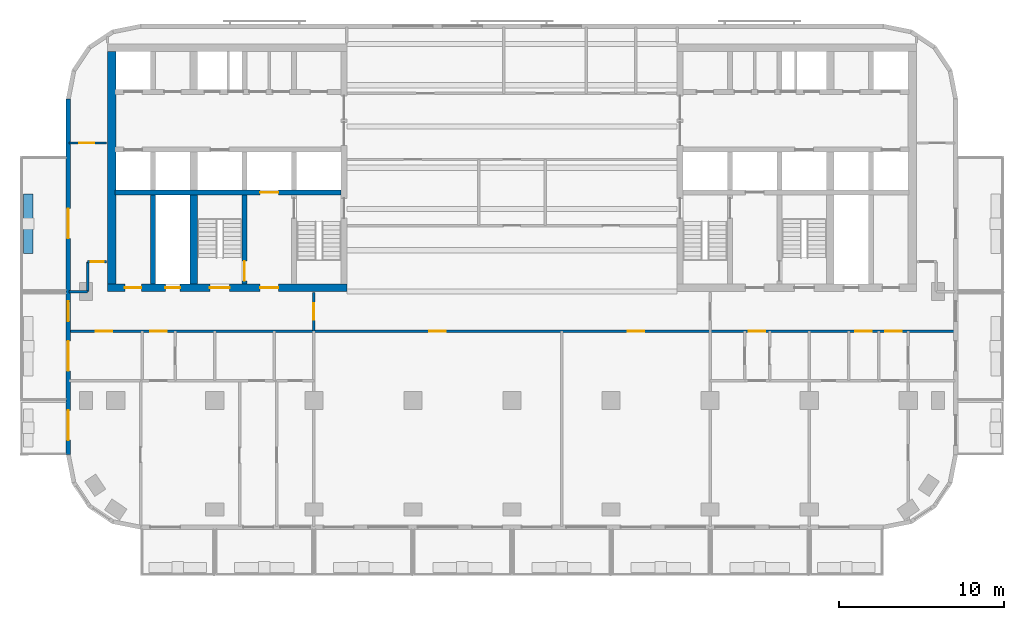
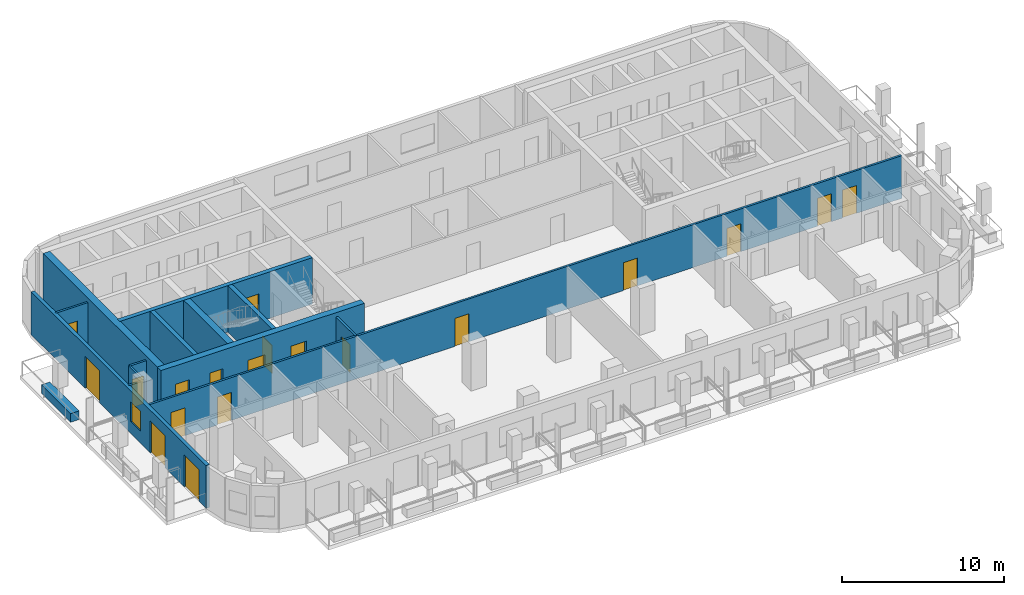
# One storey, part 3 of 11: 19 doors, 14 walls, 1 window, 20 openings.
"""IFC4 building model written with IfcOpenShell, lengths in metres."""

from ifc_helpers import new_model, si_unit, direction, frame, frame_2d, origin, place, context, subcontext, project, spatial, rectangle, extrude, material, layer, layer_set, type_object, element, fill, save


model = new_model("IFC4")

# Units and contexts
model_context = context("Model", 3, precision=1e-05, world=origin(), true_north=direction((0.0, 1.0)))
body_context = subcontext(model_context, "Body", "Model", "MODEL_VIEW")
ifc_project = project(units=[si_unit("LENGTHUNIT", "METRE"), si_unit("AREAUNIT", "SQUARE_METRE"), si_unit("VOLUMEUNIT", "CUBIC_METRE"), si_unit("PLANEANGLEUNIT", "RADIAN"), si_unit("MASSUNIT", "GRAM", prefix="KILO")], contexts=[model_context])

# Site, building, storey
site_placement = place(None, origin())
site = spatial("IfcSite", under=ifc_project, at=site_placement, CompositionType="ELEMENT")
building_placement = place(site_placement, origin())
building = spatial("IfcBuilding", under=site, at=building_placement, Name="Torana Hotel and Residences", CompositionType="ELEMENT")
storey_placement = place(building_placement, frame((0.0, 0.0, 208.10009765625)))
storey = spatial("IfcBuildingStorey", under=building, at=storey_placement, Name="L54", CompositionType="ELEMENT", Elevation=208.10009765625)

# Wall, opening, door
ifc_material_1 = material(Name="Concrete C70/85", Category="concrete")
ifc_layer_1 = layer(ifc_material_1, 0.300048828125)
ifc_layer_set_1 = layer_set([ifc_layer_1], Name="CORE WALL 300 C70/85")
wall_type_1 = type_object("IfcWallType", Name="CORE WALL 300 C70/85", PredefinedType="SHEAR", material=ifc_layer_set_1)
wall_1_placement = place(storey_placement, frame((-24.050048828125, -9.0, 0.0), z_axis=(0.0, 0.0, 1.0), x_axis=(1.0, 0.0, 0.0)))
wall_1 = element("IfcWall", 1, at=wall_1_placement, inside=storey, type_object=wall_type_1, Name="Core wall W band", PredefinedType="SHEAR", context=body_context, shape_type="SweptSolid", body=[
    extrude(rectangle(XDim=13.699951171875, YDim=0.300048828125, at=frame_2d((6.85009765625, 0.0))), origin(), (0.0, 0.0, 1.0), 3.5),
])
opening_1_placement = place(wall_1_placement, frame((8.800048828125, 0.0, 0.0)))
opening_1 = element("IfcOpeningElement", 2, at=opening_1_placement, cuts=wall_1, Name="Opening LD", PredefinedType="OPENING", context=body_context, shape_type="SweptSolid", body=[
    extrude(rectangle(XDim=1.10009765625, YDim=2.10009765625, at=frame_2d((0.550048828125, 1.050048828125))), frame((0.0, 0.159912109375, 0.0), z_axis=(0.0, -1.0, 0.0), x_axis=(1.0, 0.0, 0.0)), (0.0, 0.0, 1.0), 0.320068359375),
])
ifc_material_2 = material(Name="Stainless steel 316", Category="steel")
door_type_1 = type_object("IfcDoorType", Name="LIFT LANDING DOOR LD 1100x2100", OperationType="DOUBLE_DOOR_SLIDING", PredefinedType="USERDEFINED", material=ifc_material_2)
door_1_placement = place(opening_1_placement, origin())
door_1 = element("IfcDoor", 3, at=door_1_placement, inside=storey, type_object=door_type_1, Name="Lift landing door FF1 L54", ObjectType="LIFT LANDING DOOR", OperationType="DOUBLE_DOOR_SLIDING", OverallHeight=2.10009765625, OverallWidth=1.10009765625, PredefinedType="USERDEFINED", context=body_context, shape_type="SweptSolid", body=[
    extrude(rectangle(XDim=1.10009765625, YDim=2.10009765625, at=frame_2d((0.550048828125, 1.050048828125))), frame((0.0, 0.02490234375, 0.0), z_axis=(0.0, -1.0, 0.0), x_axis=(1.0, 0.0, 0.0)), (0.0, 0.0, 1.0), 0.050048828125),
])
fill(opening_1, door_1)

wall_2_placement = place(storey_placement, frame((-16.199951171875, -14.550048828125, 0.0), z_axis=(0.0, 0.0, 1.0), x_axis=(0.0, 1.0, 0.0)))
wall_2 = element("IfcWall", 4, at=wall_2_placement, inside=storey, type_object=wall_type_1, Name="Core wall W x6.05-band", PredefinedType="SHEAR", context=body_context, shape_type="SweptSolid", body=[
    extrude(rectangle(XDim=5.400146484375, YDim=0.300048828125, at=frame_2d((2.7001953125, 0.0))), origin(), (0.0, 0.0, 1.0), 3.5),
])
opening_2_placement = place(wall_2_placement, frame((0.199951171875, 0.0, 0.0)))
opening_2 = element("IfcOpeningElement", 5, at=opening_2_placement, cuts=wall_2, Name="Opening L54-15", PredefinedType="OPENING", context=body_context, shape_type="SweptSolid", body=[
    extrude(rectangle(XDim=1.199951171875, YDim=2.10009765625, at=frame_2d((0.60009765625, 1.050048828125))), frame((0.0, 0.159912109375, 0.0), z_axis=(0.0, -1.0, 0.0), x_axis=(1.0, 0.0, 0.0)), (0.0, 0.0, 1.0), 0.320068359375),
])
ifc_material_3 = material(Name="Steel S235", Category="steel")
door_type_2 = type_object("IfcDoorType", Name="STAIR FIRE DOOR D3 1200x2100", OperationType="SINGLE_SWING_LEFT", PredefinedType="DOOR", material=ifc_material_3)
door_2_placement = place(opening_2_placement, origin())
door_2 = element("IfcDoor", 6, at=door_2_placement, inside=storey, type_object=door_type_2, Name="Stair-B-lobby door L54", OperationType="SINGLE_SWING_RIGHT", OverallHeight=2.10009765625, OverallWidth=1.199951171875, PredefinedType="DOOR", context=body_context, shape_type="SweptSolid", body=[
    extrude(rectangle(XDim=1.199951171875, YDim=2.10009765625, at=frame_2d((0.60009765625, 1.050048828125))), frame((0.0, 0.02490234375, 0.0), z_axis=(0.0, -1.0, 0.0), x_axis=(1.0, 0.0, 0.0)), (0.0, 0.0, 1.0), 0.050048828125),
])
fill(opening_2, door_2)

# Wall
wall_3_placement = place(storey_placement, frame((-21.75, -14.550048828125, 0.0), z_axis=(0.0, 0.0, 1.0), x_axis=(0.0, 1.0, 0.0)))
element("IfcWall", 7, at=wall_3_placement, inside=storey, type_object=wall_type_1, Name="Core wall W mm-band", PredefinedType="SHEAR", context=body_context, shape_type="SweptSolid", body=[
    extrude(rectangle(XDim=5.400146484375, YDim=0.300048828125, at=frame_2d((2.7001953125, 0.0))), origin(), (0.0, 0.0, 1.0), 3.5),
])

# Wall, openings, doors
ifc_material_4 = material(Name="Concrete C70/85", Category="concrete")
ifc_layer_2 = layer(ifc_material_4, 0.449951171875)
ifc_layer_set_2 = layer_set([ifc_layer_2], Name="CORE WALL 450 C70/85")
wall_type_2 = type_object("IfcWallType", Name="CORE WALL 450 C70/85", PredefinedType="SHEAR", material=ifc_layer_set_2)
wall_4_placement = place(storey_placement, frame((-24.5, -14.77490234375, 0.0), z_axis=(0.0, 0.0, 1.0), x_axis=(1.0, 0.0, 0.0)))
wall_4 = element("IfcWall", 8, at=wall_4_placement, inside=storey, type_object=wall_type_2, Name="Core wall W front", PredefinedType="SHEAR", context=body_context, shape_type="SweptSolid", body=[
    extrude(rectangle(XDim=14.5, YDim=0.449951171875, at=frame_2d((7.25, 0.0))), origin(), (0.0, 0.0, 1.0), 3.5),
])
opening_3_placement = place(wall_4_placement, frame((6.199951171875, 0.0, 0.0)))
opening_3 = element("IfcOpeningElement", 9, at=opening_3_placement, cuts=wall_4, Name="Opening L54-04", PredefinedType="OPENING", context=body_context, shape_type="SweptSolid", body=[
    extrude(rectangle(XDim=1.199951171875, YDim=2.10009765625, at=frame_2d((0.60009765625, 1.050048828125))), frame((0.0, 0.23486328125, 0.0), z_axis=(0.0, -1.0, 0.0), x_axis=(1.0, 0.0, 0.0)), (0.0, 0.0, 1.0), 0.469970703125),
])
opening_4_placement = place(wall_4_placement, frame((9.25, 0.0, 0.0)))
opening_4 = element("IfcOpeningElement", 10, at=opening_4_placement, cuts=wall_4, Name="Opening L54-05", PredefinedType="OPENING", context=body_context, shape_type="SweptSolid", body=[
    extrude(rectangle(XDim=1.10009765625, YDim=2.10009765625, at=frame_2d((0.550048828125, 1.050048828125))), frame((0.0, 0.23486328125, 0.0), z_axis=(0.0, -1.0, 0.0), x_axis=(1.0, 0.0, 0.0)), (0.0, 0.0, 1.0), 0.469970703125),
])
opening_5_placement = place(wall_4_placement, frame((3.5, 0.0, 0.0)))
opening_5 = element("IfcOpeningElement", 11, at=opening_5_placement, cuts=wall_4, Name="Opening L54-06", PredefinedType="OPENING", context=body_context, shape_type="SweptSolid", body=[
    extrude(rectangle(XDim=0.89990234375, YDim=2.10009765625, at=frame_2d((0.449951171875, 1.050048828125))), frame((0.0, 0.23486328125, 0.0), z_axis=(0.0, -1.0, 0.0), x_axis=(1.0, 0.0, 0.0)), (0.0, 0.0, 1.0), 0.469970703125),
])
opening_6_placement = place(wall_4_placement, frame((1.050048828125, 0.0, 0.0)))
opening_6 = element("IfcOpeningElement", 12, at=opening_6_placement, cuts=wall_4, Name="Opening L54-07", PredefinedType="OPENING", context=body_context, shape_type="SweptSolid", body=[
    extrude(rectangle(XDim=1.0, YDim=2.10009765625, at=frame_2d((0.5, 1.050048828125))), frame((0.0, 0.23486328125, 0.0), z_axis=(0.0, -1.0, 0.0), x_axis=(1.0, 0.0, 0.0)), (0.0, 0.0, 1.0), 0.469970703125),
])
ifc_material_5 = material(Name="Steel S235", Category="steel")
door_type_3 = type_object("IfcDoorType", Name="CORE ROOM FIRE DOOR D14 1000x2100", OperationType="SINGLE_SWING_LEFT", PredefinedType="DOOR", material=ifc_material_5)
door_3_placement = place(opening_6_placement, origin())
door_3 = element("IfcDoor", 13, at=door_3_placement, inside=storey, type_object=door_type_3, Name="M-Room door L54", OperationType="SINGLE_SWING_RIGHT", OverallHeight=2.10009765625, OverallWidth=1.0, PredefinedType="DOOR", context=body_context, shape_type="SweptSolid", body=[
    extrude(rectangle(XDim=1.0, YDim=2.10009765625, at=frame_2d((0.5, 1.050048828125))), frame((0.0, 0.02490234375, 0.0), z_axis=(0.0, -1.0, 0.0), x_axis=(1.0, 0.0, 0.0)), (0.0, 0.0, 1.0), 0.050048828125),
])
fill(opening_6, door_3)
ifc_material_6 = material(Name="Steel S235", Category="steel")
door_type_4 = type_object("IfcDoorType", Name="FIRE-FIGHTING LOBBY DOOR D8 1100x2100", OperationType="SINGLE_SWING_LEFT", PredefinedType="DOOR", material=ifc_material_6)
door_4_placement = place(opening_4_placement, origin())
door_4 = element("IfcDoor", 14, at=door_4_placement, inside=storey, type_object=door_type_4, Name="FF-lobby door L54", OperationType="SINGLE_SWING_RIGHT", OverallHeight=2.10009765625, OverallWidth=1.10009765625, PredefinedType="DOOR", context=body_context, shape_type="SweptSolid", body=[
    extrude(rectangle(XDim=1.10009765625, YDim=2.10009765625, at=frame_2d((0.550048828125, 1.050048828125))), frame((0.0, 0.02490234375, 0.0), z_axis=(0.0, -1.0, 0.0), x_axis=(1.0, 0.0, 0.0)), (0.0, 0.0, 1.0), 0.050048828125),
])
fill(opening_4, door_4)
ifc_material_7 = material(Name="Steel S235", Category="steel")
door_type_5 = type_object("IfcDoorType", Name="RISER ACCESS DOOR D5 900x2100", OperationType="SINGLE_SWING_LEFT", PredefinedType="DOOR", material=ifc_material_7)
door_5_placement = place(opening_5_placement, origin())
door_5 = element("IfcDoor", 15, at=door_5_placement, inside=storey, type_object=door_type_5, Name="M-Riser door L54", OperationType="SINGLE_SWING_RIGHT", OverallHeight=2.10009765625, OverallWidth=0.89990234375, PredefinedType="DOOR", context=body_context, shape_type="SweptSolid", body=[
    extrude(rectangle(XDim=0.89990234375, YDim=2.10009765625, at=frame_2d((0.449951171875, 1.050048828125))), frame((0.0, 0.02490234375, 0.0), z_axis=(0.0, -1.0, 0.0), x_axis=(1.0, 0.0, 0.0)), (0.0, 0.0, 1.0), 0.050048828125),
])
fill(opening_5, door_5)
door_6_placement = place(opening_3_placement, origin())
door_6 = element("IfcDoor", 16, at=door_6_placement, inside=storey, type_object=door_type_2, Name="Stair-B door L54", OperationType="SINGLE_SWING_RIGHT", OverallHeight=2.10009765625, OverallWidth=1.199951171875, PredefinedType="DOOR", context=body_context, shape_type="SweptSolid", body=[
    extrude(rectangle(XDim=1.199951171875, YDim=2.10009765625, at=frame_2d((0.60009765625, 1.050048828125))), frame((0.0, 0.02490234375, 0.0), z_axis=(0.0, -1.0, 0.0), x_axis=(1.0, 0.0, 0.0)), (0.0, 0.0, 1.0), 0.050048828125),
])
fill(opening_3, door_6)

# Walls
wall_5_placement = place(storey_placement, frame((-19.27490234375, -14.550048828125, 0.0), z_axis=(0.0, 0.0, 1.0), x_axis=(0.0, 1.0, 0.0)))
element("IfcWall", 17, at=wall_5_placement, inside=storey, type_object=wall_type_2, Name="Core wall W hm-band", PredefinedType="SHEAR", context=body_context, shape_type="SweptSolid", body=[
    extrude(rectangle(XDim=5.400146484375, YDim=0.449951171875, at=frame_2d((2.7001953125, 0.0))), origin(), (0.0, 0.0, 1.0), 3.5),
])
ifc_material_8 = material(Name="Concrete C70/85", Category="concrete")
ifc_layer_3 = layer(ifc_material_8, 0.5)
ifc_layer_set_3 = layer_set([ifc_layer_3], Name="CORE WALL 500 C70/85")
wall_type_3 = type_object("IfcWallType", Name="CORE WALL 500 C70/85", PredefinedType="SHEAR", material=ifc_layer_set_3)
wall_6_placement = place(storey_placement, frame((-24.25, -14.550048828125, 0.0), z_axis=(0.0, 0.0, 1.0), x_axis=(0.0, 1.0, 0.0)))
element("IfcWall", 18, at=wall_6_placement, inside=storey, type_object=wall_type_3, Name="Core wall W outer", PredefinedType="SHEAR", context=body_context, shape_type="SweptSolid", body=[
    extrude(rectangle(XDim=14.10009765625, YDim=0.5, at=frame_2d((7.050048828125, 0.0))), origin(), (0.0, 0.0, 1.0), 3.5),
])

# Wall, openings, doors, window
ifc_material_9 = material(Name="Black aluminium composite panel", Category="aluminium")
ifc_layer_4 = layer(ifc_material_9, 0.00390625, Name="Cladding", Category="cladding")
ifc_material_10 = material(Name="Ventilated air cavity")
ifc_layer_5 = layer(ifc_material_10, 0.0400390625, Name="Ventilated cavity", Category="cavity")
ifc_material_11 = material(Name="Mineral wool insulation")
ifc_layer_6 = layer(ifc_material_11, 0.090087890625, Name="Insulation", Category="insulation")
ifc_material_12 = material(Name="Steel S280GD", Category="steel")
ifc_layer_7 = layer(ifc_material_12, 0.092041015625, Name="Steel stud frame", Category="structure")
ifc_material_13 = material(Name="Fire rated plasterboard")
ifc_layer_8 = layer(ifc_material_13, 0.011962890625, Name="Inner board", Category="finish")
ifc_layer_9 = layer(ifc_material_13, 0.011962890625, Name="Second board", Category="finish")
ifc_layer_set_4 = layer_set([ifc_layer_4, ifc_layer_5, ifc_layer_6, ifc_layer_7, ifc_layer_8, ifc_layer_9], Name="EW1 EXTERNAL WALL BLACK METAL CLAD 250")
wall_type_4 = type_object("IfcWallType", Name="EW1 EXTERNAL WALL BLACK METAL CLAD 250", PredefinedType="SOLIDWALL", material=ifc_layer_set_4)
wall_7_placement = place(storey_placement, frame((-26.875, -3.32470703125, 0.0), z_axis=(0.0, 0.0, 1.0), x_axis=(0.0, -1.0, 0.0)))
wall_7 = element("IfcWall", 19, at=wall_7_placement, inside=storey, type_object=wall_type_4, Name="External wall L54 e0.9", PredefinedType="SOLIDWALL", context=body_context, shape_type="SweptSolid", body=[
    extrude(rectangle(XDim=21.55078125, YDim=0.25, at=frame_2d((10.775390625, 0.0))), origin(), (0.0, 0.0, 1.0), 3.219970703125),
])
opening_7_placement = place(wall_7_placement, frame((6.650390625, 0.0, 0.0)))
opening_7 = element("IfcOpeningElement", 20, at=opening_7_placement, cuts=wall_7, Name="Opening L54-E12", PredefinedType="OPENING", context=body_context, shape_type="SweptSolid", body=[
    extrude(rectangle(XDim=1.800048828125, YDim=2.39990234375, at=frame_2d((0.89990234375, 1.199951171875))), frame((0.0, 0.135009765625, 0.0), z_axis=(0.0, -1.0, 0.0), x_axis=(1.0, 0.0, 0.0)), (0.0, 0.0, 1.0), 0.27001953125),
])
opening_8_placement = place(wall_7_placement, frame((12.275390625, 0.0, 0.89990234375)))
opening_8 = element("IfcOpeningElement", 21, at=opening_8_placement, cuts=wall_7, Name="Opening W5", PredefinedType="OPENING", context=body_context, shape_type="SweptSolid", body=[
    extrude(rectangle(XDim=1.199951171875, YDim=1.5, at=frame_2d((0.60009765625, 0.75))), frame((0.0, 0.135009765625, 0.0), z_axis=(0.0, -1.0, 0.0), x_axis=(1.0, 0.0, 0.0)), (0.0, 0.0, 1.0), 0.27001953125),
])
opening_9_placement = place(wall_7_placement, frame((14.67529296875, 0.0, 0.0)))
opening_9 = element("IfcOpeningElement", 22, at=opening_9_placement, cuts=wall_7, Name="Opening L54-E13", PredefinedType="OPENING", context=body_context, shape_type="SweptSolid", body=[
    extrude(rectangle(XDim=1.800048828125, YDim=2.39990234375, at=frame_2d((0.89990234375, 1.199951171875))), frame((0.0, 0.135009765625, 0.0), z_axis=(0.0, -1.0, 0.0), x_axis=(1.0, 0.0, 0.0)), (0.0, 0.0, 1.0), 0.27001953125),
])
opening_10_placement = place(wall_7_placement, frame((18.87548828125, 0.0, 0.0)))
opening_10 = element("IfcOpeningElement", 23, at=opening_10_placement, cuts=wall_7, Name="Opening L54-E14", PredefinedType="OPENING", context=body_context, shape_type="SweptSolid", body=[
    extrude(rectangle(XDim=1.800048828125, YDim=2.39990234375, at=frame_2d((0.89990234375, 1.199951171875))), frame((0.0, 0.135009765625, 0.0), z_axis=(0.0, -1.0, 0.0), x_axis=(1.0, 0.0, 0.0)), (0.0, 0.0, 1.0), 0.27001953125),
])
ifc_material_14 = material(Name="Dark glass in black aluminium frame", Category="aluminium")
door_type_6 = type_object("IfcDoorType", Name="DB1 BALCONY DOOR 1800x2400", OperationType="DOUBLE_DOOR_SINGLE_SWING", PredefinedType="DOOR", material=ifc_material_14)
door_7_placement = place(opening_7_placement, origin())
door_7 = element("IfcDoor", 24, at=door_7_placement, inside=storey, type_object=door_type_6, Name="Balcony door L54", OperationType="DOUBLE_DOOR_SINGLE_SWING", OverallHeight=2.39990234375, OverallWidth=1.800048828125, PredefinedType="DOOR", context=body_context, shape_type="SweptSolid", body=[
    extrude(rectangle(XDim=1.800048828125, YDim=2.39990234375, at=frame_2d((0.89990234375, 1.199951171875))), frame((0.0, 0.02490234375, 0.0), z_axis=(0.0, -1.0, 0.0), x_axis=(1.0, 0.0, 0.0)), (0.0, 0.0, 1.0), 0.050048828125),
])
fill(opening_7, door_7)
door_8_placement = place(opening_9_placement, origin())
door_8 = element("IfcDoor", 25, at=door_8_placement, inside=storey, type_object=door_type_6, Name="Balcony door L54", OperationType="DOUBLE_DOOR_SINGLE_SWING", OverallHeight=2.39990234375, OverallWidth=1.800048828125, PredefinedType="DOOR", context=body_context, shape_type="SweptSolid", body=[
    extrude(rectangle(XDim=1.800048828125, YDim=2.39990234375, at=frame_2d((0.89990234375, 1.199951171875))), frame((0.0, 0.02490234375, 0.0), z_axis=(0.0, -1.0, 0.0), x_axis=(1.0, 0.0, 0.0)), (0.0, 0.0, 1.0), 0.050048828125),
])
fill(opening_9, door_8)
door_9_placement = place(opening_10_placement, origin())
door_9 = element("IfcDoor", 26, at=door_9_placement, inside=storey, type_object=door_type_6, Name="Balcony door L54", OperationType="DOUBLE_DOOR_SINGLE_SWING", OverallHeight=2.39990234375, OverallWidth=1.800048828125, PredefinedType="DOOR", context=body_context, shape_type="SweptSolid", body=[
    extrude(rectangle(XDim=1.800048828125, YDim=2.39990234375, at=frame_2d((0.89990234375, 1.199951171875))), frame((0.0, 0.02490234375, 0.0), z_axis=(0.0, -1.0, 0.0), x_axis=(1.0, 0.0, 0.0)), (0.0, 0.0, 1.0), 0.050048828125),
])
fill(opening_10, door_9)
ifc_material_15 = material(Name="Dark glass in black aluminium frame", Category="aluminium")
window_type = type_object("IfcWindowType", Name="W5 CORNER FACET WINDOW 1200x1500", PartitioningType="SINGLE_PANEL", PredefinedType="WINDOW", material=ifc_material_15)
window_placement = place(opening_8_placement, origin())
window = element("IfcWindow", 27, at=window_placement, inside=storey, type_object=window_type, Name="Window L54", OverallHeight=1.5, OverallWidth=1.199951171875, PartitioningType="SINGLE_PANEL", PredefinedType="WINDOW", context=body_context, shape_type="SweptSolid", body=[
    extrude(rectangle(XDim=1.199951171875, YDim=1.5, at=frame_2d((0.60009765625, 0.75))), frame((0.0, 0.030029296875, 0.0), z_axis=(0.0, -1.0, 0.0), x_axis=(1.0, 0.0, 0.0)), (0.0, 0.0, 1.0), 0.06005859375),
])
fill(opening_8, window)

# Wall, opening, door
ifc_material_16 = material(Name="Gypsum plaster")
ifc_layer_10 = layer(ifc_material_16, 0.014892578125, Name="Plaster", Category="finish")
ifc_material_17 = material(Name="Concrete blockwork", Category="masonry")
ifc_layer_11 = layer(ifc_material_17, 0.1201171875, Name="Blockwork", Category="structure")
ifc_layer_12 = layer(ifc_material_16, 0.014892578125, Name="Plaster", Category="finish")
ifc_layer_set_5 = layer_set([ifc_layer_10, ifc_layer_11, ifc_layer_12], Name="FIRE PARTITION 150 BLOCKWORK")
wall_type_5 = type_object("IfcWallType", Name="FIRE PARTITION 150 BLOCKWORK", PredefinedType="PARTITIONING", material=ifc_layer_set_5)
wall_8_placement = place(storey_placement, frame((-12.0, -17.39990234375, 0.0), z_axis=(0.0, 0.0, 1.0), x_axis=(0.0, 1.0, 0.0)))
wall_8 = element("IfcWall", 28, at=wall_8_placement, inside=storey, type_object=wall_type_5, Name="Partition L54", PredefinedType="PARTITIONING", context=body_context, shape_type="SweptSolid", body=[
    extrude(rectangle(XDim=2.349853515625, YDim=0.14990234375, at=frame_2d((1.1748046875, 0.0))), origin(), (0.0, 0.0, 1.0), 3.219970703125),
])
opening_11_placement = place(wall_8_placement, frame((0.699951171875, 0.0, 0.0)))
opening_11 = element("IfcOpeningElement", 29, at=opening_11_placement, cuts=wall_8, Name="Opening L54-31", PredefinedType="OPENING", context=body_context, shape_type="SweptSolid", body=[
    extrude(rectangle(XDim=1.0, YDim=2.10009765625, at=frame_2d((0.5, 1.050048828125))), frame((0.0, 0.0849609375, 0.0), z_axis=(0.0, -1.0, 0.0), x_axis=(1.0, 0.0, 0.0)), (0.0, 0.0, 1.0), 0.169921875),
])
ifc_material_18 = material(Name="Steel S235", Category="steel")
door_type_7 = type_object("IfcDoorType", Name="ENTRY FIRE DOOR D6 1000x2100", OperationType="SINGLE_SWING_LEFT", PredefinedType="DOOR", material=ifc_material_18)
door_10_placement = place(opening_11_placement, origin())
door_10 = element("IfcDoor", 30, at=door_10_placement, inside=storey, type_object=door_type_7, Name="Door L54", OperationType="SINGLE_SWING_RIGHT", OverallHeight=2.10009765625, OverallWidth=1.0, PredefinedType="DOOR", context=body_context, shape_type="SweptSolid", body=[
    extrude(rectangle(XDim=1.0, YDim=2.10009765625, at=frame_2d((0.5, 1.050048828125))), frame((0.0, 0.02490234375, 0.0), z_axis=(0.0, -1.0, 0.0), x_axis=(1.0, 0.0, 0.0)), (0.0, 0.0, 1.0), 0.050048828125),
])
fill(opening_11, door_10)

# Wall
wall_9_placement = place(storey_placement, frame((-25.699951171875, -15.0, 0.0), z_axis=(0.0, 0.0, 1.0), x_axis=(0.0, 1.0, 0.0)))
element("IfcWall", 31, at=wall_9_placement, inside=storey, type_object=wall_type_5, Name="Partition L54", PredefinedType="PARTITIONING", context=body_context, shape_type="SweptSolid", body=[
    extrude(rectangle(XDim=1.800048828125, YDim=0.14990234375, at=frame_2d((0.89990234375, 0.0))), origin(), (0.0, 0.0, 1.0), 3.219970703125),
])

# Wall, openings, doors
wall_10_placement = place(storey_placement, frame((-26.820068359375, -17.39990234375, 0.0), z_axis=(0.0, 0.0, 1.0), x_axis=(1.0, 0.0, 0.0)))
wall_10 = element("IfcWall", 32, at=wall_10_placement, inside=storey, type_object=wall_type_5, Name="Partition L54", PredefinedType="PARTITIONING", context=body_context, shape_type="SweptSolid", body=[
    extrude(rectangle(XDim=53.64013671875, YDim=0.14990234375, at=frame_2d((26.820068359375, 0.0))), origin(), (0.0, 0.0, 1.0), 3.219970703125),
])
opening_12_placement = place(wall_10_placement, frame((4.919921875, 0.0, 0.0)))
opening_12 = element("IfcOpeningElement", 33, at=opening_12_placement, cuts=wall_10, Name="Opening L54-32", PredefinedType="OPENING", context=body_context, shape_type="SweptSolid", body=[
    extrude(rectangle(XDim=1.0, YDim=2.10009765625, at=frame_2d((0.5, 1.050048828125))), frame((0.0, 0.0849609375, 0.0), z_axis=(0.0, -1.0, 0.0), x_axis=(1.0, 0.0, 0.0)), (0.0, 0.0, 1.0), 0.169921875),
])
opening_13_placement = place(wall_10_placement, frame((1.6201171875, 0.0, 0.0)))
opening_13 = element("IfcOpeningElement", 34, at=opening_13_placement, cuts=wall_10, Name="Opening L54-33", PredefinedType="OPENING", context=body_context, shape_type="SweptSolid", body=[
    extrude(rectangle(XDim=1.0, YDim=2.10009765625, at=frame_2d((0.5, 1.050048828125))), frame((0.0, 0.0849609375, 0.0), z_axis=(0.0, -1.0, 0.0), x_axis=(1.0, 0.0, 0.0)), (0.0, 0.0, 1.0), 0.169921875),
])
opening_14_placement = place(wall_10_placement, frame((41.169921875, 0.0, 0.0)))
opening_14 = element("IfcOpeningElement", 35, at=opening_14_placement, cuts=wall_10, Name="Opening L54-36", PredefinedType="OPENING", context=body_context, shape_type="SweptSolid", body=[
    extrude(rectangle(XDim=1.0, YDim=2.10009765625, at=frame_2d((0.5, 1.050048828125))), frame((0.0, 0.0849609375, 0.0), z_axis=(0.0, -1.0, 0.0), x_axis=(1.0, 0.0, 0.0)), (0.0, 0.0, 1.0), 0.169921875),
])
opening_15_placement = place(wall_10_placement, frame((49.419921875, 0.0, 0.0)))
opening_15 = element("IfcOpeningElement", 36, at=opening_15_placement, cuts=wall_10, Name="Opening L54-37", PredefinedType="OPENING", context=body_context, shape_type="SweptSolid", body=[
    extrude(rectangle(XDim=1.0, YDim=2.10009765625, at=frame_2d((0.5, 1.050048828125))), frame((0.0, 0.0849609375, 0.0), z_axis=(0.0, -1.0, 0.0), x_axis=(1.0, 0.0, 0.0)), (0.0, 0.0, 1.0), 0.169921875),
])
opening_16_placement = place(wall_10_placement, frame((47.6201171875, 0.0, 0.0)))
opening_16 = element("IfcOpeningElement", 37, at=opening_16_placement, cuts=wall_10, Name="Opening L54-38", PredefinedType="OPENING", context=body_context, shape_type="SweptSolid", body=[
    extrude(rectangle(XDim=1.0, YDim=2.10009765625, at=frame_2d((0.5, 1.050048828125))), frame((0.0, 0.0849609375, 0.0), z_axis=(0.0, -1.0, 0.0), x_axis=(1.0, 0.0, 0.0)), (0.0, 0.0, 1.0), 0.169921875),
])
opening_17_placement = place(wall_10_placement, frame((21.820068359375, 0.0, 0.0)))
opening_17 = element("IfcOpeningElement", 38, at=opening_17_placement, cuts=wall_10, Name="Opening L54-41", PredefinedType="OPENING", context=body_context, shape_type="SweptSolid", body=[
    extrude(rectangle(XDim=1.0, YDim=2.10009765625, at=frame_2d((0.5, 1.050048828125))), frame((0.0, 0.0849609375, 0.0), z_axis=(0.0, -1.0, 0.0), x_axis=(1.0, 0.0, 0.0)), (0.0, 0.0, 1.0), 0.169921875),
])
opening_18_placement = place(wall_10_placement, frame((33.820068359375, 0.0, 0.0)))
opening_18 = element("IfcOpeningElement", 39, at=opening_18_placement, cuts=wall_10, Name="Opening L54-42", PredefinedType="OPENING", context=body_context, shape_type="SweptSolid", body=[
    extrude(rectangle(XDim=1.0, YDim=2.10009765625, at=frame_2d((0.5, 1.050048828125))), frame((0.0, 0.0849609375, 0.0), z_axis=(0.0, -1.0, 0.0), x_axis=(1.0, 0.0, 0.0)), (0.0, 0.0, 1.0), 0.169921875),
])
door_11_placement = place(opening_12_placement, origin())
door_11 = element("IfcDoor", 40, at=door_11_placement, inside=storey, type_object=door_type_7, Name="Door L54", OperationType="SINGLE_SWING_RIGHT", OverallHeight=2.10009765625, OverallWidth=1.0, PredefinedType="DOOR", context=body_context, shape_type="SweptSolid", body=[
    extrude(rectangle(XDim=1.0, YDim=2.10009765625, at=frame_2d((0.5, 1.050048828125))), frame((0.0, 0.02490234375, 0.0), z_axis=(0.0, -1.0, 0.0), x_axis=(1.0, 0.0, 0.0)), (0.0, 0.0, 1.0), 0.050048828125),
])
fill(opening_12, door_11)
door_12_placement = place(opening_13_placement, frame((0.5, 0.0, 0.0), z_axis=(0.0, 0.0, 1.0), x_axis=(-1.0, 0.0, 0.0)))
door_12 = element("IfcDoor", 41, at=door_12_placement, inside=storey, type_object=door_type_7, Name="Door L54", OperationType="SINGLE_SWING_LEFT", OverallHeight=2.10009765625, OverallWidth=1.0, PredefinedType="DOOR", context=body_context, shape_type="SweptSolid", body=[
    extrude(rectangle(XDim=1.0, YDim=2.10009765625, at=frame_2d((0.0, 1.050048828125))), frame((0.0, -0.02490234375, 0.0), z_axis=(0.0, 1.0, 0.0), x_axis=(-1.0, 0.0, 0.0)), (0.0, 0.0, 1.0), 0.050048828125),
])
fill(opening_13, door_12)
door_13_placement = place(opening_14_placement, origin())
door_13 = element("IfcDoor", 42, at=door_13_placement, inside=storey, type_object=door_type_7, Name="Door L54", OperationType="SINGLE_SWING_RIGHT", OverallHeight=2.10009765625, OverallWidth=1.0, PredefinedType="DOOR", context=body_context, shape_type="SweptSolid", body=[
    extrude(rectangle(XDim=1.0, YDim=2.10009765625, at=frame_2d((0.5, 1.050048828125))), frame((0.0, 0.02490234375, 0.0), z_axis=(0.0, -1.0, 0.0), x_axis=(1.0, 0.0, 0.0)), (0.0, 0.0, 1.0), 0.050048828125),
])
fill(opening_14, door_13)
door_14_placement = place(opening_15_placement, origin())
door_14 = element("IfcDoor", 43, at=door_14_placement, inside=storey, type_object=door_type_7, Name="Door L54", OperationType="SINGLE_SWING_RIGHT", OverallHeight=2.10009765625, OverallWidth=1.0, PredefinedType="DOOR", context=body_context, shape_type="SweptSolid", body=[
    extrude(rectangle(XDim=1.0, YDim=2.10009765625, at=frame_2d((0.5, 1.050048828125))), frame((0.0, 0.02490234375, 0.0), z_axis=(0.0, -1.0, 0.0), x_axis=(1.0, 0.0, 0.0)), (0.0, 0.0, 1.0), 0.050048828125),
])
fill(opening_15, door_14)
door_15_placement = place(opening_16_placement, frame((0.5, 0.0, 0.0), z_axis=(0.0, 0.0, 1.0), x_axis=(-1.0, 0.0, 0.0)))
door_15 = element("IfcDoor", 44, at=door_15_placement, inside=storey, type_object=door_type_7, Name="Door L54", OperationType="SINGLE_SWING_LEFT", OverallHeight=2.10009765625, OverallWidth=1.0, PredefinedType="DOOR", context=body_context, shape_type="SweptSolid", body=[
    extrude(rectangle(XDim=1.0, YDim=2.10009765625, at=frame_2d((0.0, 1.050048828125))), frame((0.0, -0.02490234375, 0.0), z_axis=(0.0, 1.0, 0.0), x_axis=(-1.0, 0.0, 0.0)), (0.0, 0.0, 1.0), 0.050048828125),
])
fill(opening_16, door_15)
door_16_placement = place(opening_17_placement, frame((0.5, 0.0, 0.0), z_axis=(0.0, 0.0, 1.0), x_axis=(-1.0, 0.0, 0.0)))
door_16 = element("IfcDoor", 45, at=door_16_placement, inside=storey, type_object=door_type_7, Name="Door L54", OperationType="SINGLE_SWING_LEFT", OverallHeight=2.10009765625, OverallWidth=1.0, PredefinedType="DOOR", context=body_context, shape_type="SweptSolid", body=[
    extrude(rectangle(XDim=1.0, YDim=2.10009765625, at=frame_2d((0.0, 1.050048828125))), frame((0.0, -0.02490234375, 0.0), z_axis=(0.0, 1.0, 0.0), x_axis=(-1.0, 0.0, 0.0)), (0.0, 0.0, 1.0), 0.050048828125),
])
fill(opening_17, door_16)
door_17_placement = place(opening_18_placement, frame((0.5, 0.0, 0.0), z_axis=(0.0, 0.0, 1.0), x_axis=(-1.0, 0.0, 0.0)))
door_17 = element("IfcDoor", 46, at=door_17_placement, inside=storey, type_object=door_type_7, Name="Door L54", OperationType="SINGLE_SWING_LEFT", OverallHeight=2.10009765625, OverallWidth=1.0, PredefinedType="DOOR", context=body_context, shape_type="SweptSolid", body=[
    extrude(rectangle(XDim=1.0, YDim=2.10009765625, at=frame_2d((0.0, 1.050048828125))), frame((0.0, -0.02490234375, 0.0), z_axis=(0.0, 1.0, 0.0), x_axis=(-1.0, 0.0, 0.0)), (0.0, 0.0, 1.0), 0.050048828125),
])
fill(opening_18, door_17)

# Wall
wall_11_placement = place(storey_placement, frame((-26.820068359375, -15.0, 0.0), z_axis=(0.0, 0.0, 1.0), x_axis=(1.0, 0.0, 0.0)))
element("IfcWall", 47, at=wall_11_placement, inside=storey, type_object=wall_type_5, Name="Partition L54", PredefinedType="PARTITIONING", context=body_context, shape_type="SweptSolid", body=[
    extrude(rectangle(XDim=1.1201171875, YDim=0.14990234375, at=frame_2d((0.56005859375, 0.0))), origin(), (0.0, 0.0, 1.0), 3.219970703125),
])

# Wall, opening, door
wall_12_placement = place(storey_placement, frame((-25.699951171875, -13.199951171875, 0.0), z_axis=(0.0, 0.0, 1.0), x_axis=(1.0, 0.0, 0.0)))
wall_12 = element("IfcWall", 48, at=wall_12_placement, inside=storey, type_object=wall_type_5, Name="Partition L54", PredefinedType="PARTITIONING", context=body_context, shape_type="SweptSolid", body=[
    extrude(rectangle(XDim=1.14990234375, YDim=0.14990234375, at=frame_2d((0.574951171875, 0.0))), origin(), (0.0, 0.0, 1.0), 3.219970703125),
])
opening_19_placement = place(wall_12_placement, frame((0.175048828125, 0.0, 0.0)))
opening_19 = element("IfcOpeningElement", 49, at=opening_19_placement, cuts=wall_12, Name="Opening L54-34", PredefinedType="OPENING", context=body_context, shape_type="SweptSolid", body=[
    extrude(rectangle(XDim=0.800048828125, YDim=2.10009765625, at=frame_2d((0.39990234375, 1.050048828125))), frame((0.0, 0.0849609375, 0.0), z_axis=(0.0, -1.0, 0.0), x_axis=(1.0, 0.0, 0.0)), (0.0, 0.0, 1.0), 0.169921875),
])
ifc_material_19 = material(Name="Steel S235", Category="steel")
door_type_8 = type_object("IfcDoorType", Name="STORE FIRE DOOR D16 800x2100", OperationType="SINGLE_SWING_LEFT", PredefinedType="DOOR", material=ifc_material_19)
door_18_placement = place(opening_19_placement, origin())
door_18 = element("IfcDoor", 50, at=door_18_placement, inside=storey, type_object=door_type_8, Name="Door L54", OperationType="SINGLE_SWING_LEFT", OverallHeight=2.10009765625, OverallWidth=0.800048828125, PredefinedType="DOOR", context=body_context, shape_type="SweptSolid", body=[
    extrude(rectangle(XDim=0.800048828125, YDim=2.10009765625, at=frame_2d((0.39990234375, 1.050048828125))), frame((0.0, 0.02490234375, 0.0), z_axis=(0.0, -1.0, 0.0), x_axis=(1.0, 0.0, 0.0)), (0.0, 0.0, 1.0), 0.050048828125),
])
fill(opening_19, door_18)

ifc_material_20 = material(Name="Gypsum plasterboard")
ifc_layer_13 = layer(ifc_material_20, 0.012451171875, Name="Plasterboard", Category="finish")
ifc_layer_14 = layer(ifc_material_20, 0.012451171875, Name="Plasterboard", Category="finish")
ifc_layer_15 = layer(ifc_material_12, 0.10009765625, Name="Steel studs with mineral wool", Category="insulation")
ifc_layer_16 = layer(ifc_material_20, 0.012451171875, Name="Plasterboard", Category="finish")
ifc_layer_17 = layer(ifc_material_20, 0.012451171875, Name="Plasterboard", Category="finish")
ifc_layer_set_6 = layer_set([ifc_layer_13, ifc_layer_14, ifc_layer_15, ifc_layer_16, ifc_layer_17], Name="PARTITION 150 PLASTERBOARD")
wall_type_6 = type_object("IfcWallType", Name="PARTITION 150 PLASTERBOARD", PredefinedType="PARTITIONING", material=ifc_layer_set_6)
wall_13_placement = place(storey_placement, frame((-26.820068359375, -6.0, 0.0), z_axis=(0.0, 0.0, 1.0), x_axis=(1.0, 0.0, 0.0)))
wall_13 = element("IfcWall", 51, at=wall_13_placement, inside=storey, type_object=wall_type_6, Name="Partition L54", PredefinedType="PARTITIONING", context=body_context, shape_type="SweptSolid", body=[
    extrude(rectangle(XDim=2.27001953125, YDim=0.14990234375, at=frame_2d((1.135009765625, 0.0))), origin(), (0.0, 0.0, 1.0), 3.219970703125),
])
opening_20_placement = place(wall_13_placement, frame((0.6201171875, 0.0, 0.0)))
opening_20 = element("IfcOpeningElement", 52, at=opening_20_placement, cuts=wall_13, Name="Opening L54-64", PredefinedType="OPENING", context=body_context, shape_type="SweptSolid", body=[
    extrude(rectangle(XDim=0.89990234375, YDim=2.10009765625, at=frame_2d((0.449951171875, 1.050048828125))), frame((0.0, 0.0849609375, 0.0), z_axis=(0.0, -1.0, 0.0), x_axis=(1.0, 0.0, 0.0)), (0.0, 0.0, 1.0), 0.169921875),
])
ifc_material_21 = material(Name="Timber door, oiled ash", Category="wood")
door_type_9 = type_object("IfcDoorType", Name="ROOM DOOR D7 900x2100", OperationType="SINGLE_SWING_LEFT", PredefinedType="DOOR", material=ifc_material_21)
door_19_placement = place(opening_20_placement, origin())
door_19 = element("IfcDoor", 53, at=door_19_placement, inside=storey, type_object=door_type_9, Name="Door L54", OperationType="SINGLE_SWING_RIGHT", OverallHeight=2.10009765625, OverallWidth=0.89990234375, PredefinedType="DOOR", context=body_context, shape_type="SweptSolid", body=[
    extrude(rectangle(XDim=0.89990234375, YDim=2.10009765625, at=frame_2d((0.449951171875, 1.050048828125))), frame((0.0, 0.02490234375, 0.0), z_axis=(0.0, -1.0, 0.0), x_axis=(1.0, 0.0, 0.0)), (0.0, 0.0, 1.0), 0.050048828125),
])
fill(opening_20, door_19)

# Wall
ifc_material_22 = material(Name="Concrete C40/50 precast", Category="concrete")
ifc_layer_18 = layer(ifc_material_22, 0.10009765625, Name="Planter shell", Category="structure")
ifc_material_23 = material(Name="Root resistant membrane")
ifc_layer_19 = layer(ifc_material_23, 0.00390625, Name="Waterproofing membrane", Category="membrane")
ifc_material_24 = material(Name="Drainage board with filter fleece")
ifc_layer_20 = layer(ifc_material_24, 0.02001953125, Name="Drainage board", Category="drainage")
ifc_material_25 = material(Name="Growing medium")
ifc_layer_21 = layer(ifc_material_25, 0.47607421875, Name="Planting substrate", Category="soil")
ifc_layer_set_7 = layer_set([ifc_layer_18, ifc_layer_19, ifc_layer_20, ifc_layer_21], Name="PL1 BALCONY PLANTER 600")
wall_type_7 = type_object("IfcWallType", Name="PL1 BALCONY PLANTER 600", PredefinedType="USERDEFINED", material=ifc_layer_set_7)
wall_14_placement = place(storey_placement, frame((-29.300048828125, -12.699951171875, 0.0), z_axis=(0.0, 0.0, 1.0), x_axis=(0.0, 1.0, 0.0)))
element("IfcWall", 54, at=wall_14_placement, inside=storey, type_object=wall_type_7, Name="Planter 11", ObjectType="PLANTER", PredefinedType="USERDEFINED", context=body_context, shape_type="SweptSolid", body=[
    extrude(rectangle(XDim=3.599853515625, YDim=0.60009765625, at=frame_2d((1.7998046875, 0.0))), origin(), (0.0, 0.0, 1.0), 0.64990234375),
])

save(model, "model.ifc")
